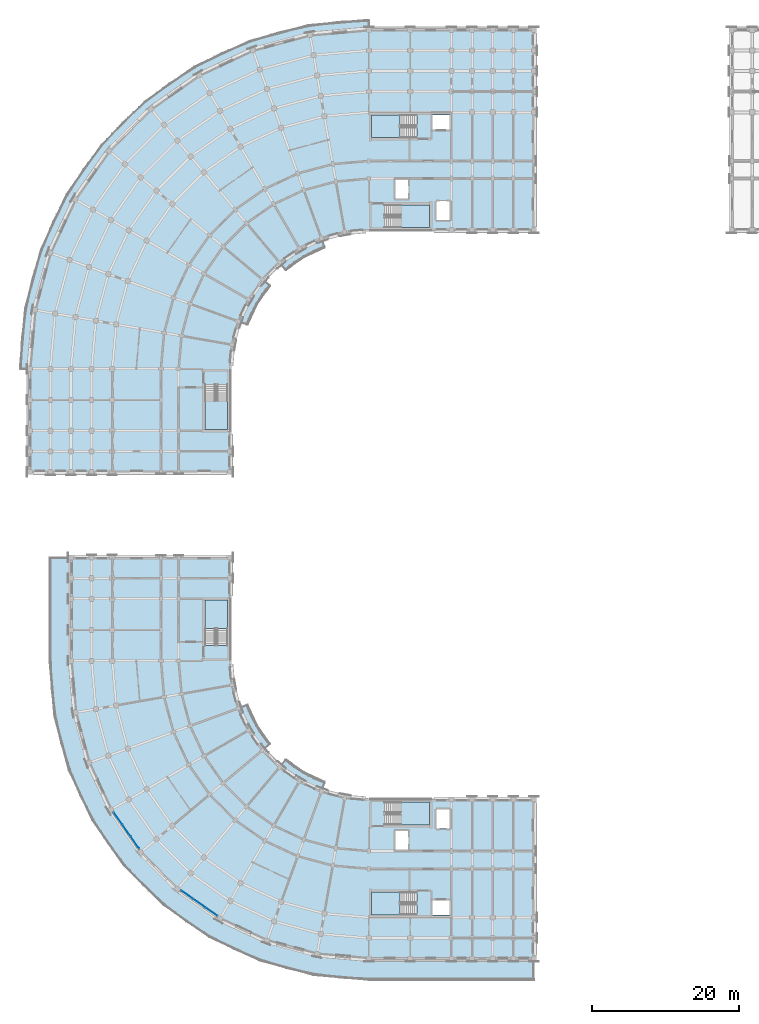
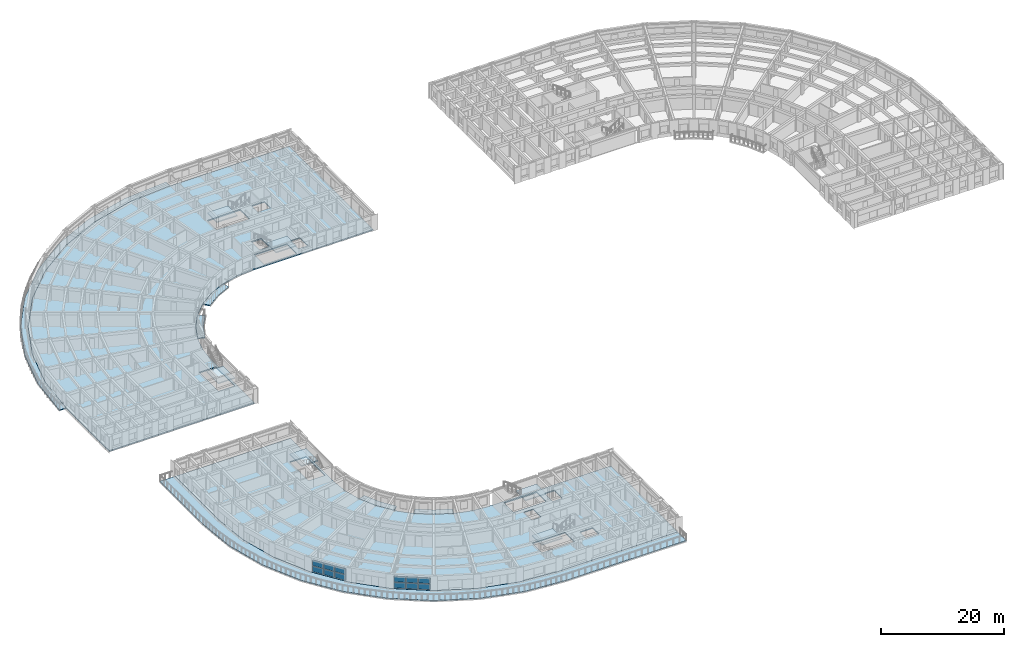
# One storey, part 15 of 57: 14 slabs, 12 plates, 8 elements without a shape of their own.
"""IFC4 building model written with IfcOpenShell, lengths in metres."""

from ifc_helpers import new_model, si_unit, direction, frame, origin, origin_2d, place, context, subcontext, project, spatial, polyline, rectangle, outline, extrude, material, layer, layer_set, type_object, element, aggregate, save


model = new_model("IFC4")

# Units and contexts
model_context = context("Model", 3, precision=1e-05, world=origin(), true_north=direction((0.0, 1.0)))
body_context = subcontext(model_context, "Body", "Model", "MODEL_VIEW")
ifc_project = project(units=[si_unit("LENGTHUNIT", "METRE"), si_unit("AREAUNIT", "SQUARE_METRE"), si_unit("VOLUMEUNIT", "CUBIC_METRE"), si_unit("PLANEANGLEUNIT", "RADIAN"), si_unit("MASSUNIT", "GRAM", prefix="KILO")], contexts=[model_context])

# Site, building, storey
site_placement = place(None, origin())
site = spatial("IfcSite", under=ifc_project, at=site_placement, CompositionType="ELEMENT")
building_placement = place(site_placement, origin())
building = spatial("IfcBuilding", under=site, at=building_placement, Name="Kiranvali Square Residences", CompositionType="ELEMENT")
storey_placement = place(building_placement, frame((0.0, 0.0, 24.449951171875)))
storey = spatial("IfcBuildingStorey", under=building, at=storey_placement, Name="L07", CompositionType="ELEMENT", Elevation=24.449951171875)

# Curtain wall, plates
ifc_material_1 = material(Name="Anodised bronze aluminium framing", Category="aluminium")
curtain_wall_type = type_object("IfcCurtainWallType", Name="CW-RES-LOG", PredefinedType="USERDEFINED", material=ifc_material_1)
curtain_wall_1_placement = place(storey_placement, origin())
curtain_wall_1 = element("IfcCurtainWall", 1, at=curtain_wall_1_placement, inside=storey, type_object=curtain_wall_type, Name="Block C L07 stepped curved terrace loggia 4", ObjectType="CURTAIN WALL", PredefinedType="USERDEFINED")
ifc_material_2 = material(Name="Solar-control low-e double glazing", Category="glass")
ifc_layer_1 = layer(ifc_material_2, 0.028076171875)
ifc_layer_set_1 = layer_set([ifc_layer_1], Name="Solar-control low-e double glazing")
plate_type = type_object("IfcPlateType", Name="PLT-CW-GLZ", PredefinedType="CURTAIN_PANEL", material=ifc_layer_set_1)
plate_1_placement = place(storey_placement, frame((26.828857421875, 14.17919921875, 0.080078125), z_axis=(0.0, 0.0, 1.0), x_axis=(-0.819152044289, 0.573576436351, 0.0)))
plate_1 = element("IfcPlate", 2, at=plate_1_placement, type_object=plate_type, Name="CW-C-L07-TER-03 glazed panel 1.1", PredefinedType="CURTAIN_PANEL", context=body_context, shape_type="SweptSolid", body=[
    extrude(rectangle(XDim=1.927490234375, YDim=0.028076171875, at=origin_2d()), origin(), (0.0, 0.0, 1.0), 1.1201171875),
])
plate_2_placement = place(storey_placement, frame((26.828857421875, 14.17919921875, 1.280029296875), z_axis=(0.0, 0.0, 1.0), x_axis=(-0.819152044289, 0.573576436351, 0.0)))
plate_2 = element("IfcPlate", 3, at=plate_2_placement, type_object=plate_type, Name="CW-C-L07-TER-03 glazed panel 1.2", PredefinedType="CURTAIN_PANEL", context=body_context, shape_type="SweptSolid", body=[
    extrude(rectangle(XDim=1.927490234375, YDim=0.028076171875, at=origin_2d()), origin(), (0.0, 0.0, 1.0), 1.1201171875),
])
plate_3_placement = place(storey_placement, frame((25.1845703125, 15.33056640625, 0.080078125), z_axis=(0.0, 0.0, 1.0), x_axis=(-0.819152044289, 0.573576436351, 0.0)))
plate_3 = element("IfcPlate", 4, at=plate_3_placement, type_object=plate_type, Name="CW-C-L07-TER-03 glazed panel 2.1", PredefinedType="CURTAIN_PANEL", context=body_context, shape_type="SweptSolid", body=[
    extrude(rectangle(XDim=1.927490234375, YDim=0.028076171875, at=origin_2d()), origin(), (0.0, 0.0, 1.0), 1.1201171875),
])
plate_4_placement = place(storey_placement, frame((25.1845703125, 15.33056640625, 1.280029296875), z_axis=(0.0, 0.0, 1.0), x_axis=(-0.819152044289, 0.573576436351, 0.0)))
plate_4 = element("IfcPlate", 5, at=plate_4_placement, type_object=plate_type, Name="CW-C-L07-TER-03 glazed panel 2.2", PredefinedType="CURTAIN_PANEL", context=body_context, shape_type="SweptSolid", body=[
    extrude(rectangle(XDim=1.927490234375, YDim=0.028076171875, at=origin_2d()), origin(), (0.0, 0.0, 1.0), 1.1201171875),
])
plate_5_placement = place(storey_placement, frame((23.5400390625, 16.48193359375, 0.080078125), z_axis=(0.0, 0.0, 1.0), x_axis=(-0.819152044289, 0.573576436351, 0.0)))
plate_5 = element("IfcPlate", 6, at=plate_5_placement, type_object=plate_type, Name="CW-C-L07-TER-03 glazed panel 3.1", PredefinedType="CURTAIN_PANEL", context=body_context, shape_type="SweptSolid", body=[
    extrude(rectangle(XDim=1.927490234375, YDim=0.028076171875, at=origin_2d()), origin(), (0.0, 0.0, 1.0), 1.1201171875),
])
plate_6_placement = place(storey_placement, frame((23.5400390625, 16.48193359375, 1.280029296875), z_axis=(0.0, 0.0, 1.0), x_axis=(-0.819152044289, 0.573576436351, 0.0)))
plate_6 = element("IfcPlate", 7, at=plate_6_placement, type_object=plate_type, Name="CW-C-L07-TER-03 glazed panel 3.2", PredefinedType="CURTAIN_PANEL", context=body_context, shape_type="SweptSolid", body=[
    extrude(rectangle(XDim=1.927490234375, YDim=0.028076171875, at=origin_2d()), origin(), (0.0, 0.0, 1.0), 1.1201171875),
])
aggregate(curtain_wall_1, [plate_1, plate_2, plate_3, plate_4, plate_5, plate_6])

curtain_wall_2_placement = place(storey_placement, origin())
curtain_wall_2 = element("IfcCurtainWall", 8, at=curtain_wall_2_placement, inside=storey, type_object=curtain_wall_type, Name="Block C L07 stepped curved terrace loggia 6", ObjectType="CURTAIN WALL", PredefinedType="USERDEFINED")
plate_7_placement = place(storey_placement, frame((16.48193359375, 23.5400390625, 0.080078125), z_axis=(0.0, 0.0, 1.0), x_axis=(-0.573576436351, 0.819152044289, 0.0)))
plate_7 = element("IfcPlate", 9, at=plate_7_placement, type_object=plate_type, Name="CW-C-L07-TER-05 glazed panel 1.1", PredefinedType="CURTAIN_PANEL", context=body_context, shape_type="SweptSolid", body=[
    extrude(rectangle(XDim=1.927490234375, YDim=0.028076171875, at=origin_2d()), origin(), (0.0, 0.0, 1.0), 1.1201171875),
])
plate_8_placement = place(storey_placement, frame((16.48193359375, 23.5400390625, 1.280029296875), z_axis=(0.0, 0.0, 1.0), x_axis=(-0.573576436351, 0.819152044289, 0.0)))
plate_8 = element("IfcPlate", 10, at=plate_8_placement, type_object=plate_type, Name="CW-C-L07-TER-05 glazed panel 1.2", PredefinedType="CURTAIN_PANEL", context=body_context, shape_type="SweptSolid", body=[
    extrude(rectangle(XDim=1.927490234375, YDim=0.028076171875, at=origin_2d()), origin(), (0.0, 0.0, 1.0), 1.1201171875),
])
plate_9_placement = place(storey_placement, frame((15.33056640625, 25.1845703125, 0.080078125), z_axis=(0.0, 0.0, 1.0), x_axis=(-0.573576436351, 0.819152044289, 0.0)))
plate_9 = element("IfcPlate", 11, at=plate_9_placement, type_object=plate_type, Name="CW-C-L07-TER-05 glazed panel 2.1", PredefinedType="CURTAIN_PANEL", context=body_context, shape_type="SweptSolid", body=[
    extrude(rectangle(XDim=1.927490234375, YDim=0.028076171875, at=origin_2d()), origin(), (0.0, 0.0, 1.0), 1.1201171875),
])
plate_10_placement = place(storey_placement, frame((15.33056640625, 25.1845703125, 1.280029296875), z_axis=(0.0, 0.0, 1.0), x_axis=(-0.573576436351, 0.819152044289, 0.0)))
plate_10 = element("IfcPlate", 12, at=plate_10_placement, type_object=plate_type, Name="CW-C-L07-TER-05 glazed panel 2.2", PredefinedType="CURTAIN_PANEL", context=body_context, shape_type="SweptSolid", body=[
    extrude(rectangle(XDim=1.927490234375, YDim=0.028076171875, at=origin_2d()), origin(), (0.0, 0.0, 1.0), 1.1201171875),
])
plate_11_placement = place(storey_placement, frame((14.17919921875, 26.828857421875, 0.080078125), z_axis=(0.0, 0.0, 1.0), x_axis=(-0.573576436351, 0.819152044289, 0.0)))
plate_11 = element("IfcPlate", 13, at=plate_11_placement, type_object=plate_type, Name="CW-C-L07-TER-05 glazed panel 3.1", PredefinedType="CURTAIN_PANEL", context=body_context, shape_type="SweptSolid", body=[
    extrude(rectangle(XDim=1.927490234375, YDim=0.028076171875, at=origin_2d()), origin(), (0.0, 0.0, 1.0), 1.1201171875),
])
plate_12_placement = place(storey_placement, frame((14.17919921875, 26.828857421875, 1.280029296875), z_axis=(0.0, 0.0, 1.0), x_axis=(-0.573576436351, 0.819152044289, 0.0)))
plate_12 = element("IfcPlate", 14, at=plate_12_placement, type_object=plate_type, Name="CW-C-L07-TER-05 glazed panel 3.2", PredefinedType="CURTAIN_PANEL", context=body_context, shape_type="SweptSolid", body=[
    extrude(rectangle(XDim=1.927490234375, YDim=0.028076171875, at=origin_2d()), origin(), (0.0, 0.0, 1.0), 1.1201171875),
])
aggregate(curtain_wall_2, [plate_7, plate_8, plate_9, plate_10, plate_11, plate_12])

# Slabs
ifc_material_3 = material(Name="Concrete M35 (35 MPa)", Category="concrete")
ifc_layer_2 = layer(ifc_material_3, 0.179931640625)
ifc_layer_set_2 = layer_set([ifc_layer_2], Name="Concrete M35 (35 MPa)")
slab_type_1 = type_object("IfcSlabType", Name="SLB-BAL-180", PredefinedType="FLOOR", material=ifc_layer_set_2)
slab_1_placement = place(storey_placement, frame((0.0, 0.0, -0.179931640625)))
element("IfcSlab", 15, at=slab_1_placement, inside=storey, type_object=slab_type_1, Name="Block A L07 continuous curved corner balcony slab", PredefinedType="FLOOR", context=body_context, shape_type="SweptSolid", body=[
    extrude(outline(polyline([(48.199951171875, 135.050048828125), (39.9951171875, 134.332275390625), (32.03955078125, 132.200439453125), (24.574951171875, 128.7197265625), (17.828369140625, 123.99560546875), (12.00439453125, 118.171630859375), (7.2802734375, 111.425048828125), (3.799560546875, 103.96044921875), (1.667724609375, 96.0048828125), (0.949951171875, 87.800048828125), (2.199951171875, 87.800048828125), (2.89892578125, 95.787841796875), (4.97412109375, 103.532958984375), (8.36279296875, 110.800048828125), (12.9619140625, 117.3681640625), (18.6318359375, 123.0380859375), (25.199951171875, 127.63720703125), (32.467041015625, 131.02587890625), (40.212158203125, 133.10107421875), (48.199951171875, 133.800048828125), (48.199951171875, 135.050048828125)])), origin(), (0.0, 0.0, 1.0), 0.179931640625),
])
ifc_layer_3 = layer(ifc_material_3, 0.219970703125)
ifc_layer_set_3 = layer_set([ifc_layer_3], Name="Concrete M35 (35 MPa)")
slab_type_2 = type_object("IfcSlabType", Name="SLB-FLR-220", PredefinedType="FLOOR", material=ifc_layer_set_3)
slab_2_placement = place(storey_placement, frame((0.0, 0.0, -0.219970703125)))
element("IfcSlab", 16, at=slab_2_placement, inside=storey, type_object=slab_type_2, Name="Block A L07 structural floor slab", PredefinedType="FLOOR", context=body_context, shape_type="SweptSolid", body=[
    extrude(outline(polyline([(70.60009765625, 106.60009765625), (70.60009765625, 133.800048828125), (48.199951171875, 133.800048828125), (40.212158203125, 133.10107421875), (32.467041015625, 131.02587890625), (25.199951171875, 127.63720703125), (18.6318359375, 123.0380859375), (12.9619140625, 117.3681640625), (8.36279296875, 110.800048828125), (4.97412109375, 103.532958984375), (2.89892578125, 95.787841796875), (2.199951171875, 87.800048828125), (2.199951171875, 73.800048828125), (29.39990234375, 73.800048828125), (29.39990234375, 87.800048828125), (29.685546875, 91.064697265625), (30.53369140625, 94.22998046875), (31.918701171875, 97.199951171875), (33.79833984375, 99.884521484375), (36.115478515625, 102.20166015625), (38.800048828125, 104.081298828125), (41.77001953125, 105.46630859375), (44.935302734375, 106.314453125), (48.199951171875, 106.60009765625), (70.60009765625, 106.60009765625)]), holes=[polyline([(56.800048828125, 120.25), (59.25, 120.25), (59.25, 122.25), (56.800048828125, 122.25), (56.800048828125, 120.25)]), polyline([(57.35009765625, 107.949951171875), (59.14990234375, 107.949951171875), (59.14990234375, 110.550048828125), (57.35009765625, 110.550048828125), (57.35009765625, 107.949951171875)]), polyline([(51.75, 110.85009765625), (53.550048828125, 110.85009765625), (53.550048828125, 113.449951171875), (51.75, 113.449951171875), (51.75, 110.85009765625)]), polyline([(54.699951171875, 122.25), (48.550048828125, 122.25), (48.550048828125, 119.14990234375), (54.699951171875, 119.14990234375), (54.699951171875, 122.25)]), polyline([(50.300048828125, 106.949951171875), (56.449951171875, 106.949951171875), (56.449951171875, 110.050048828125), (50.300048828125, 110.050048828125), (50.300048828125, 106.949951171875)]), polyline([(25.949951171875, 85.699951171875), (25.949951171875, 79.550048828125), (29.050048828125, 79.550048828125), (29.050048828125, 85.699951171875), (25.949951171875, 85.699951171875)])]), origin(), (0.0, 0.0, 1.0), 0.219970703125),
])
slab_3_placement = place(storey_placement, frame((0.0, 0.0, -0.219970703125)))
element("IfcSlab", 17, at=slab_3_placement, inside=storey, type_object=slab_type_2, Name="Block C L07 structural floor slab", PredefinedType="FLOOR", context=body_context, shape_type="SweptSolid", body=[
    extrude(outline(polyline([(48.199951171875, 29.39990234375), (44.935302734375, 29.685546875), (41.77001953125, 30.53369140625), (38.800048828125, 31.918701171875), (36.115478515625, 33.79833984375), (33.79833984375, 36.115478515625), (31.918701171875, 38.800048828125), (30.53369140625, 41.77001953125), (29.685546875, 44.935302734375), (29.39990234375, 48.199951171875), (29.39990234375, 62.199951171875), (7.800048828125, 62.199951171875), (7.800048828125, 48.199951171875), (8.413818359375, 41.1845703125), (10.236328125, 34.38232421875), (13.212646484375, 28.0), (17.251708984375, 22.2314453125), (22.2314453125, 17.251708984375), (28.0, 13.212646484375), (34.38232421875, 10.236328125), (41.1845703125, 8.413818359375), (48.199951171875, 7.800048828125), (70.60009765625, 7.800048828125), (70.60009765625, 29.39990234375), (48.199951171875, 29.39990234375)]), holes=[polyline([(56.800048828125, 13.75), (59.25, 13.75), (59.25, 15.75), (56.800048828125, 15.75), (56.800048828125, 13.75)]), polyline([(57.35009765625, 25.449951171875), (59.14990234375, 25.449951171875), (59.14990234375, 28.050048828125), (57.35009765625, 28.050048828125), (57.35009765625, 25.449951171875)]), polyline([(51.75, 22.550048828125), (53.550048828125, 22.550048828125), (53.550048828125, 25.14990234375), (51.75, 25.14990234375), (51.75, 22.550048828125)]), polyline([(54.699951171875, 16.85009765625), (48.550048828125, 16.85009765625), (48.550048828125, 13.75), (54.699951171875, 13.75), (54.699951171875, 16.85009765625)]), polyline([(50.300048828125, 25.949951171875), (56.449951171875, 25.949951171875), (56.449951171875, 29.050048828125), (50.300048828125, 29.050048828125), (50.300048828125, 25.949951171875)]), polyline([(29.050048828125, 50.300048828125), (29.050048828125, 56.449951171875), (25.949951171875, 56.449951171875), (25.949951171875, 50.300048828125), (29.050048828125, 50.300048828125)])]), origin(), (0.0, 0.0, 1.0), 0.219970703125),
])
ifc_layer_4 = layer(ifc_material_3, 0.169921875)
ifc_layer_set_4 = layer_set([ifc_layer_4], Name="Concrete M35 (35 MPa)")
slab_type_3 = type_object("IfcSlabType", Name="SLB-GBAL-170", PredefinedType="FLOOR", material=ifc_layer_set_4)
slab_4_placement = place(storey_placement, frame((0.0, 0.0, -0.179931640625)))
element("IfcSlab", 18, at=slab_4_placement, inside=storey, type_object=slab_type_3, Name="Block A L07 garden balcony slab 1", PredefinedType="FLOOR", context=body_context, shape_type="SweptSolid", body=[
    extrude(outline(polyline([(41.77001953125, 105.46630859375), (38.800048828125, 104.081298828125), (36.115478515625, 102.20166015625), (36.919189453125, 101.244140625), (39.425048828125, 102.998779296875), (42.197509765625, 104.29150390625), (41.77001953125, 105.46630859375)])), origin(), (0.0, 0.0, 1.0), 0.179931640625),
])
slab_5_placement = place(storey_placement, frame((0.0, 0.0, -0.179931640625)))
element("IfcSlab", 19, at=slab_5_placement, inside=storey, type_object=slab_type_3, Name="Block A L07 garden balcony slab 2", PredefinedType="FLOOR", context=body_context, shape_type="SweptSolid", body=[
    extrude(outline(polyline([(33.79833984375, 99.884521484375), (31.918701171875, 97.199951171875), (30.53369140625, 94.22998046875), (31.70849609375, 93.802490234375), (33.001220703125, 96.574951171875), (34.755859375, 99.080810546875), (33.79833984375, 99.884521484375)])), origin(), (0.0, 0.0, 1.0), 0.179931640625),
])
slab_6_placement = place(storey_placement, frame((0.0, 0.0, -0.179931640625)))
element("IfcSlab", 20, at=slab_6_placement, inside=storey, type_object=slab_type_3, Name="Block C L07 garden balcony slab 1", PredefinedType="FLOOR", context=body_context, shape_type="SweptSolid", body=[
    extrude(outline(polyline([(42.197509765625, 31.70849609375), (39.425048828125, 33.001220703125), (36.919189453125, 34.755859375), (36.115478515625, 33.79833984375), (38.800048828125, 31.918701171875), (41.77001953125, 30.53369140625), (42.197509765625, 31.70849609375)])), origin(), (0.0, 0.0, 1.0), 0.179931640625),
])
slab_7_placement = place(storey_placement, frame((0.0, 0.0, -0.179931640625)))
element("IfcSlab", 21, at=slab_7_placement, inside=storey, type_object=slab_type_3, Name="Block C L07 garden balcony slab 2", PredefinedType="FLOOR", context=body_context, shape_type="SweptSolid", body=[
    extrude(outline(polyline([(34.755859375, 36.919189453125), (33.001220703125, 39.425048828125), (31.70849609375, 42.197509765625), (30.53369140625, 41.77001953125), (31.918701171875, 38.800048828125), (33.79833984375, 36.115478515625), (34.755859375, 36.919189453125)])), origin(), (0.0, 0.0, 1.0), 0.179931640625),
])

# Stair, slab
stair_type = type_object("IfcStairType", Name="ST-CORE-1700", PredefinedType="HALF_TURN_STAIR", material=ifc_material_3)
stair_1_placement = place(storey_placement, origin())
stair_1 = element("IfcStair", 22, at=stair_1_placement, inside=storey, type_object=stair_type, Name="L07 Block A Firefighting Exit Stair 1", PredefinedType="HALF_TURN_STAIR")
ifc_layer_5 = layer(ifc_material_3, 0.199951171875)
ifc_layer_set_5 = layer_set([ifc_layer_5], Name="Concrete M35 (35 MPa)")
slab_type_4 = type_object("IfcSlabType", Name="SLB-LND-200", PredefinedType="LANDING", material=ifc_layer_set_5)
slab_8_placement = place(storey_placement, frame((0.0, 0.0, 1.375)))
slab_8 = element("IfcSlab", 23, at=slab_8_placement, type_object=slab_type_4, Name="ST-A1 landing 1", PredefinedType="LANDING", context=body_context, shape_type="SweptSolid", body=[
    extrude(outline(polyline([(52.419921875, 122.25), (48.550048828125, 122.25), (48.550048828125, 119.14990234375), (52.419921875, 119.14990234375), (52.419921875, 122.25)])), origin(), (0.0, 0.0, 1.0), 0.199951171875),
])
aggregate(stair_1, [slab_8])

stair_2_placement = place(storey_placement, origin())
stair_2 = element("IfcStair", 24, at=stair_2_placement, inside=storey, type_object=stair_type, Name="L07 Block A Protected Exit Stair 2", PredefinedType="HALF_TURN_STAIR")
slab_9_placement = place(storey_placement, frame((0.0, 0.0, 1.375)))
slab_9 = element("IfcSlab", 25, at=slab_9_placement, type_object=slab_type_4, Name="ST-A2 landing 1", PredefinedType="LANDING", context=body_context, shape_type="SweptSolid", body=[
    extrude(outline(polyline([(52.580078125, 106.949951171875), (56.449951171875, 106.949951171875), (56.449951171875, 110.050048828125), (52.580078125, 110.050048828125), (52.580078125, 106.949951171875)])), origin(), (0.0, 0.0, 1.0), 0.199951171875),
])
aggregate(stair_2, [slab_9])

stair_3_placement = place(storey_placement, origin())
stair_3 = element("IfcStair", 26, at=stair_3_placement, inside=storey, type_object=stair_type, Name="L07 Block A Wing Protected Exit Stair 3", PredefinedType="HALF_TURN_STAIR")
slab_10_placement = place(storey_placement, frame((0.0, 0.0, 1.375)))
slab_10 = element("IfcSlab", 27, at=slab_10_placement, type_object=slab_type_4, Name="ST-A3 landing 1", PredefinedType="LANDING", context=body_context, shape_type="SweptSolid", body=[
    extrude(outline(polyline([(25.949951171875, 83.419921875), (25.949951171875, 79.550048828125), (29.050048828125, 79.550048828125), (29.050048828125, 83.419921875), (25.949951171875, 83.419921875)])), origin(), (0.0, 0.0, 1.0), 0.199951171875),
])
aggregate(stair_3, [slab_10])

stair_4_placement = place(storey_placement, origin())
stair_4 = element("IfcStair", 28, at=stair_4_placement, inside=storey, type_object=stair_type, Name="L07 Block C Firefighting Exit Stair 1", PredefinedType="HALF_TURN_STAIR")
slab_11_placement = place(storey_placement, frame((0.0, 0.0, 1.375)))
slab_11 = element("IfcSlab", 29, at=slab_11_placement, type_object=slab_type_4, Name="ST-C1 landing 1", PredefinedType="LANDING", context=body_context, shape_type="SweptSolid", body=[
    extrude(outline(polyline([(52.419921875, 16.85009765625), (48.550048828125, 16.85009765625), (48.550048828125, 13.75), (52.419921875, 13.75), (52.419921875, 16.85009765625)])), origin(), (0.0, 0.0, 1.0), 0.199951171875),
])
aggregate(stair_4, [slab_11])

stair_5_placement = place(storey_placement, origin())
stair_5 = element("IfcStair", 30, at=stair_5_placement, inside=storey, type_object=stair_type, Name="L07 Block C Protected Exit Stair 2", PredefinedType="HALF_TURN_STAIR")
slab_12_placement = place(storey_placement, frame((0.0, 0.0, 1.375)))
slab_12 = element("IfcSlab", 31, at=slab_12_placement, type_object=slab_type_4, Name="ST-C2 landing 1", PredefinedType="LANDING", context=body_context, shape_type="SweptSolid", body=[
    extrude(outline(polyline([(52.580078125, 25.949951171875), (56.449951171875, 25.949951171875), (56.449951171875, 29.050048828125), (52.580078125, 29.050048828125), (52.580078125, 25.949951171875)])), origin(), (0.0, 0.0, 1.0), 0.199951171875),
])
aggregate(stair_5, [slab_12])

stair_6_placement = place(storey_placement, origin())
stair_6 = element("IfcStair", 32, at=stair_6_placement, inside=storey, type_object=stair_type, Name="L07 Block C Wing Protected Exit Stair 3", PredefinedType="HALF_TURN_STAIR")
slab_13_placement = place(storey_placement, frame((0.0, 0.0, 1.375)))
slab_13 = element("IfcSlab", 33, at=slab_13_placement, type_object=slab_type_4, Name="ST-C3 landing 1", PredefinedType="LANDING", context=body_context, shape_type="SweptSolid", body=[
    extrude(outline(polyline([(29.050048828125, 52.580078125), (29.050048828125, 56.449951171875), (25.949951171875, 56.449951171875), (25.949951171875, 52.580078125), (29.050048828125, 52.580078125)])), origin(), (0.0, 0.0, 1.0), 0.199951171875),
])
aggregate(stair_6, [slab_13])

# Slab
ifc_layer_6 = layer(ifc_material_3, 0.18994140625)
ifc_layer_set_6 = layer_set([ifc_layer_6], Name="Concrete M35 (35 MPa)")
slab_type_5 = type_object("IfcSlabType", Name="SLB-TER-190", PredefinedType="FLOOR", material=ifc_layer_set_6)
slab_14_placement = place(storey_placement, frame((0.0, 0.0, -0.179931640625)))
element("IfcSlab", 34, at=slab_14_placement, inside=storey, type_object=slab_type_5, Name="Block C L07 stepped curved corner balcony terrace slab", PredefinedType="FLOOR", context=body_context, shape_type="SweptSolid", body=[
    extrude(outline(polyline([(70.60009765625, 7.800048828125), (48.199951171875, 7.800048828125), (41.1845703125, 8.413818359375), (34.38232421875, 10.236328125), (28.0, 13.212646484375), (22.2314453125, 17.251708984375), (17.251708984375, 22.2314453125), (13.212646484375, 28.0), (10.236328125, 34.38232421875), (8.413818359375, 41.1845703125), (7.800048828125, 48.199951171875), (7.800048828125, 62.199951171875), (5.0, 62.199951171875), (5.0, 48.199951171875), (5.65625, 40.698486328125), (7.605224609375, 33.4248046875), (10.78759765625, 26.60009765625), (15.10693359375, 20.431640625), (20.431640625, 15.10693359375), (26.60009765625, 10.78759765625), (33.4248046875, 7.605224609375), (40.698486328125, 5.65625), (48.199951171875, 5.0), (70.60009765625, 5.0), (70.60009765625, 7.800048828125)])), origin(), (0.0, 0.0, 1.0), 0.179931640625),
])

save(model, "model.ifc")
